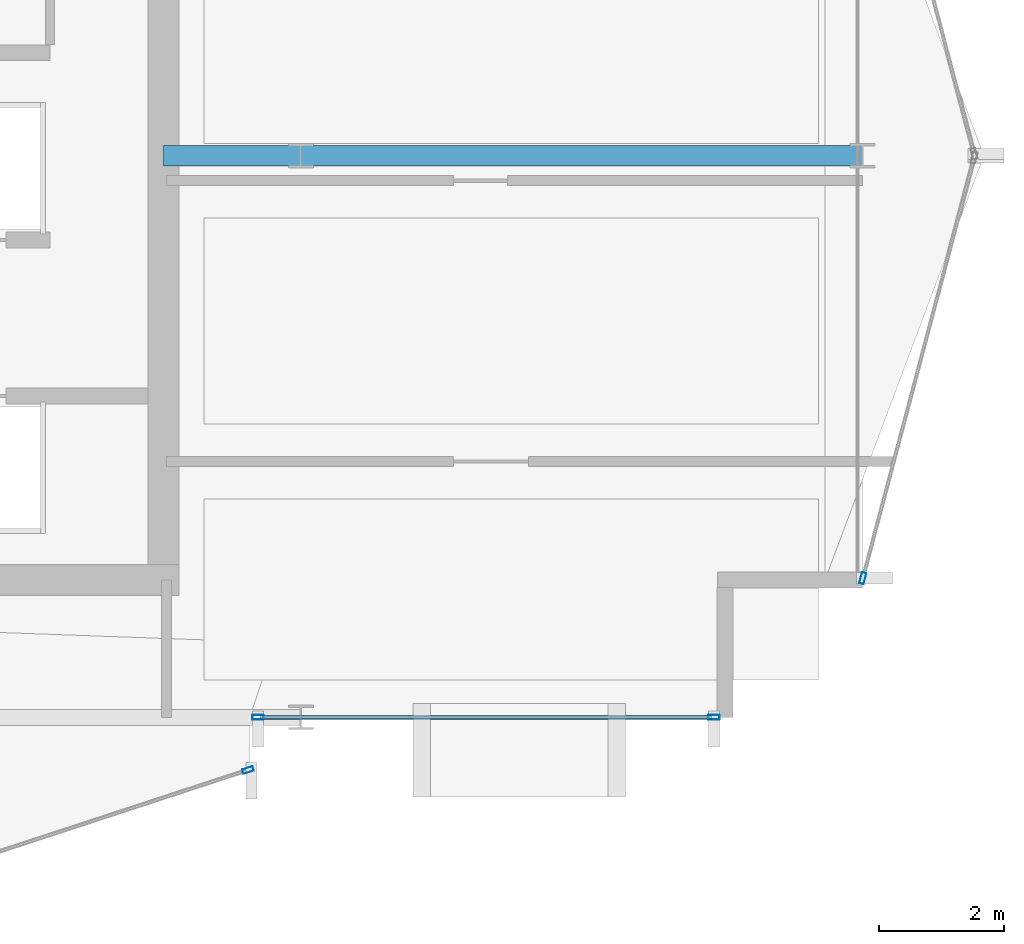
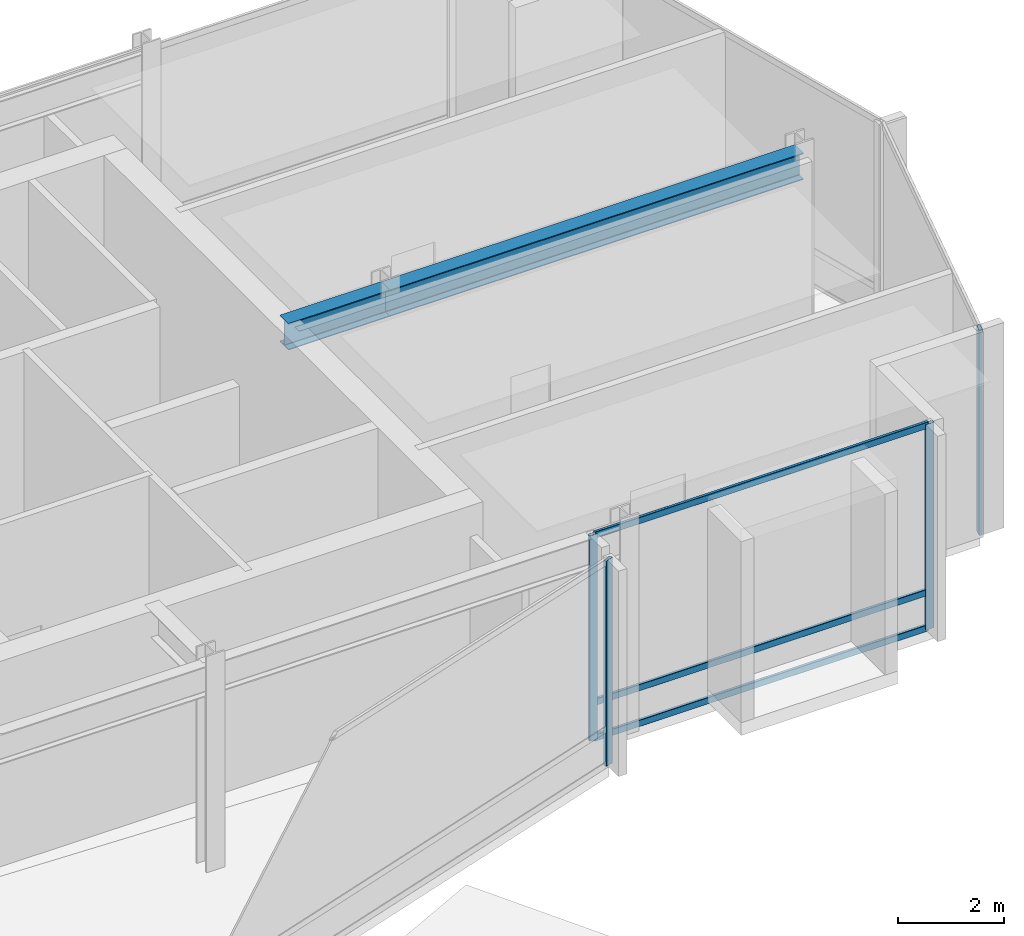
# One storey, part 10 of 28: 7 members, 2 beams, 3 elements without a shape of their own.
"""IFC4 building model written with IfcOpenShell, lengths in metres."""

from ifc_helpers import new_model, si_unit, direction, frame, origin, origin_2d, place, context, subcontext, project, spatial, hollow_rectangle, i_section, extrude, material, layer, layer_set, material_profile, profile_set, type_object, element, aggregate, save


model = new_model("IFC4")

# Units and contexts
model_context = context("Model", 3, precision=1e-05, world=origin(), true_north=direction((0.0, 1.0)))
body_context = subcontext(model_context, "Body", "Model", "MODEL_VIEW")
ifc_project = project(units=[si_unit("LENGTHUNIT", "METRE"), si_unit("AREAUNIT", "SQUARE_METRE"), si_unit("VOLUMEUNIT", "CUBIC_METRE"), si_unit("PLANEANGLEUNIT", "RADIAN"), si_unit("MASSUNIT", "GRAM", prefix="KILO")], contexts=[model_context])

# Site, building, storey
site_placement = place(None, origin())
site = spatial("IfcSite", under=ifc_project, at=site_placement, CompositionType="ELEMENT")
building_placement = place(site_placement, origin())
building = spatial("IfcBuilding", under=site, at=building_placement, Name="Solvaryn Broadcast Tower", CompositionType="ELEMENT")
storey_placement = place(building_placement, frame((0.0, 0.0, 201.199951171875)))
storey = spatial("IfcBuildingStorey", under=building, at=storey_placement, Name="L50", CompositionType="ELEMENT", Elevation=201.199951171875)

# Beams
ifc_material_1 = material(Name="Steel ASTM A992 Grade 50", Category="steel")
ifc_material_profile_1 = material_profile(ifc_material_1, i_section(OverallWidth=0.323974609375, OverallDepth=0.611083984375, WebThickness=0.0126953125, FlangeThickness=0.01904296875, FilletRadius=0.014892578125, at=origin_2d()))
ifc_profile_set_1 = profile_set([ifc_material_profile_1], Name="Steel ASTM A992 Grade 50")
beam_type = type_object("IfcBeamType", Name="BM-B1-W24X104", PredefinedType="BEAM", material=ifc_profile_set_1)
beam_1_placement = place(storey_placement, frame((45.0, 18.0, 4.41455078125), z_axis=(1.0, 0.0, 0.0), x_axis=(0.0, 1.0, 0.0)))
element("IfcBeam", 1, at=beam_1_placement, inside=storey, type_object=beam_type, Name="L50 Primary Beam X (45-54 @ Y=18)", PredefinedType="BEAM", context=body_context, shape_type="SweptSolid", body=[
    extrude(i_section(OverallWidth=0.323974609375, OverallDepth=0.611083984375, WebThickness=0.0126953125, FlangeThickness=0.01904296875, FilletRadius=0.014892578125, at=origin_2d()), origin(), (0.0, 0.0, 1.0), 9.0),
])
beam_2_placement = place(storey_placement, frame((42.800048828125, 18.0, 4.41455078125), z_axis=(1.0, 0.0, 0.0), x_axis=(0.0, 1.0, 0.0)))
element("IfcBeam", 2, at=beam_2_placement, inside=storey, type_object=beam_type, Name="L50 Core Tie Beam CTE3", PredefinedType="BEAM", context=body_context, shape_type="SweptSolid", body=[
    extrude(i_section(OverallWidth=0.323974609375, OverallDepth=0.611083984375, WebThickness=0.0126953125, FlangeThickness=0.01904296875, FilletRadius=0.014892578125, at=origin_2d()), origin(), (0.0, 0.0, 1.0), 2.199951171875),
])

# Curtain wall, member
ifc_material_2 = material(Name="Aluminium and Terracotta Unitised Curtain Wall", Category="masonry")
ifc_layer = layer(ifc_material_2, 0.199951171875)
ifc_layer_set = layer_set([ifc_layer], Name="CW-SYS2-LOWMID")
curtain_wall_type = type_object("IfcCurtainWallType", Name="CW-SYS2-LOWMID", PredefinedType="NOTDEFINED", material=ifc_layer_set)
curtain_wall_1_placement = place(storey_placement, origin())
curtain_wall_1 = element("IfcCurtainWall", 3, at=curtain_wall_1_placement, inside=storey, type_object=curtain_wall_type, Name="L50 Curtain Wall DR4", PredefinedType="NOTDEFINED")
ifc_material_3 = material(Name="Anodised Aluminium 6063-T6", Category="aluminium")
ifc_material_profile_2 = material_profile(ifc_material_3, hollow_rectangle(XDim=0.074951171875, YDim=0.179931640625, WallThickness=0.00390625, InnerFilletRadius=0.00390625, OuterFilletRadius=0.008056640625, at=origin_2d()))
ifc_profile_set_2 = profile_set([ifc_material_profile_2], Name="Anodised Aluminium 6063-T6")
member_type_1 = type_object("IfcMemberType", Name="CW-MUL-180", PredefinedType="MULLION", material=ifc_profile_set_2)
member_1_placement = place(storey_placement, frame((44.153564453125, 8.153564453125, 0.0), z_axis=(0.0, 0.0, 1.0), x_axis=(-0.311558717623, 0.950226902099, 0.0)))
member_1 = element("IfcMember", 4, at=member_1_placement, type_object=member_type_1, Name="CWS2 mullion 2", PredefinedType="MULLION", context=body_context, shape_type="SweptSolid", body=[
    extrude(hollow_rectangle(XDim=0.074951171875, YDim=0.179931640625, WallThickness=0.00390625, InnerFilletRadius=0.00390625, OuterFilletRadius=0.008056640625, at=origin_2d()), origin(), (0.0, 0.0, 1.0), 4.719970703125),
])
aggregate(curtain_wall_1, [member_1])

# Curtain wall, members
curtain_wall_2_placement = place(storey_placement, origin())
curtain_wall_2 = element("IfcCurtainWall", 5, at=curtain_wall_2_placement, inside=storey, type_object=curtain_wall_type, Name="L50 Curtain Wall S2", PredefinedType="NOTDEFINED")
member_2_placement = place(storey_placement, frame((44.31201171875, 9.0, 0.0), z_axis=(0.0, 0.0, 1.0), x_axis=(0.0, 1.0, 0.0)))
member_2 = element("IfcMember", 6, at=member_2_placement, type_object=member_type_1, Name="CWS2 mullion 1", PredefinedType="MULLION", context=body_context, shape_type="SweptSolid", body=[
    extrude(hollow_rectangle(XDim=0.074951171875, YDim=0.179931640625, WallThickness=0.00390625, InnerFilletRadius=0.00390625, OuterFilletRadius=0.008056640625, at=origin_2d()), origin(), (0.0, 0.0, 1.0), 4.719970703125),
])
member_3_placement = place(storey_placement, frame((51.6201171875, 9.0, 0.0), z_axis=(0.0, 0.0, 1.0), x_axis=(0.0, 1.0, 0.0)))
member_3 = element("IfcMember", 7, at=member_3_placement, type_object=member_type_1, Name="CWS2 mullion 2", PredefinedType="MULLION", context=body_context, shape_type="SweptSolid", body=[
    extrude(hollow_rectangle(XDim=0.074951171875, YDim=0.179931640625, WallThickness=0.00390625, InnerFilletRadius=0.00390625, OuterFilletRadius=0.008056640625, at=origin_2d()), origin(), (0.0, 0.0, 1.0), 4.719970703125),
])

# Curtain wall, member
curtain_wall_3_placement = place(storey_placement, origin())
curtain_wall_3 = element("IfcCurtainWall", 8, at=curtain_wall_3_placement, inside=storey, type_object=curtain_wall_type, Name="L50 Curtain Wall ET2", PredefinedType="NOTDEFINED")
member_4_placement = place(storey_placement, frame((54.007568359375, 11.22900390625, 0.0), z_axis=(0.0, 0.0, 1.0), x_axis=(0.966705227863, -0.25589256031, 0.0)))
member_4 = element("IfcMember", 9, at=member_4_placement, type_object=member_type_1, Name="CWS2 mullion 2", PredefinedType="MULLION", context=body_context, shape_type="SweptSolid", body=[
    extrude(hollow_rectangle(XDim=0.074951171875, YDim=0.179931640625, WallThickness=0.00390625, InnerFilletRadius=0.00390625, OuterFilletRadius=0.008056640625, at=origin_2d()), origin(), (0.0, 0.0, 1.0), 4.719970703125),
])
aggregate(curtain_wall_3, [member_4])

# Member
ifc_material_4 = material(Name="Anodised Aluminium 6063-T6", Category="aluminium")
ifc_material_profile_3 = material_profile(ifc_material_4, hollow_rectangle(XDim=0.06494140625, YDim=0.14990234375, WallThickness=0.00390625, InnerFilletRadius=0.00390625, OuterFilletRadius=0.008056640625, at=origin_2d()))
ifc_profile_set_3 = profile_set([ifc_material_profile_3], Name="Anodised Aluminium 6063-T6")
member_type_2 = type_object("IfcMemberType", Name="CW-TRN-150", PredefinedType="USERDEFINED", material=ifc_profile_set_3)
member_5_placement = place(storey_placement, frame((44.342041015625, 9.0, 0.030029296875), z_axis=(1.0, 0.0, 0.0), x_axis=(0.0, 1.0, 0.0)))
member_5 = element("IfcMember", 10, at=member_5_placement, type_object=member_type_2, Name="CWS2 transom 1.1", ObjectType="TRANSOM", PredefinedType="USERDEFINED", context=body_context, shape_type="SweptSolid", body=[
    extrude(hollow_rectangle(XDim=0.06494140625, YDim=0.14990234375, WallThickness=0.00390625, InnerFilletRadius=0.00390625, OuterFilletRadius=0.008056640625, at=origin_2d()), origin(), (0.0, 0.0, 1.0), 7.248046875),
])

member_6_placement = place(storey_placement, frame((44.342041015625, 9.0, 0.85009765625), z_axis=(1.0, 0.0, 0.0), x_axis=(0.0, 1.0, 0.0)))
member_6 = element("IfcMember", 11, at=member_6_placement, type_object=member_type_2, Name="CWS2 transom 1.2", ObjectType="TRANSOM", PredefinedType="USERDEFINED", context=body_context, shape_type="SweptSolid", body=[
    extrude(hollow_rectangle(XDim=0.06494140625, YDim=0.14990234375, WallThickness=0.00390625, InnerFilletRadius=0.00390625, OuterFilletRadius=0.008056640625, at=origin_2d()), origin(), (0.0, 0.0, 1.0), 7.248046875),
])

member_7_placement = place(storey_placement, frame((44.342041015625, 9.0, 4.68994140625), z_axis=(1.0, 0.0, 0.0), x_axis=(0.0, 1.0, 0.0)))
member_7 = element("IfcMember", 12, at=member_7_placement, type_object=member_type_2, Name="CWS2 transom 1.3", ObjectType="TRANSOM", PredefinedType="USERDEFINED", context=body_context, shape_type="SweptSolid", body=[
    extrude(hollow_rectangle(XDim=0.06494140625, YDim=0.14990234375, WallThickness=0.00390625, InnerFilletRadius=0.00390625, OuterFilletRadius=0.008056640625, at=origin_2d()), origin(), (0.0, 0.0, 1.0), 7.248046875),
])

aggregate(curtain_wall_2, [member_2, member_3, member_5, member_6, member_7])

save(model, "model.ifc")
